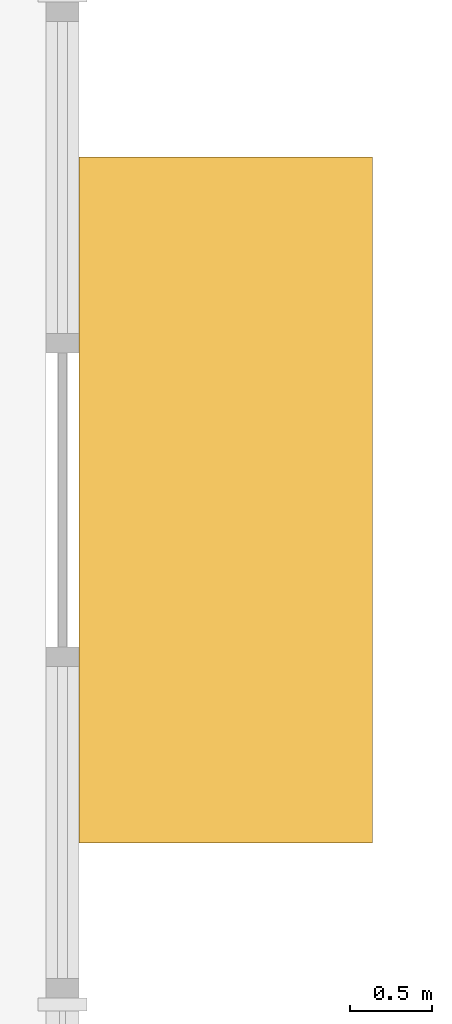
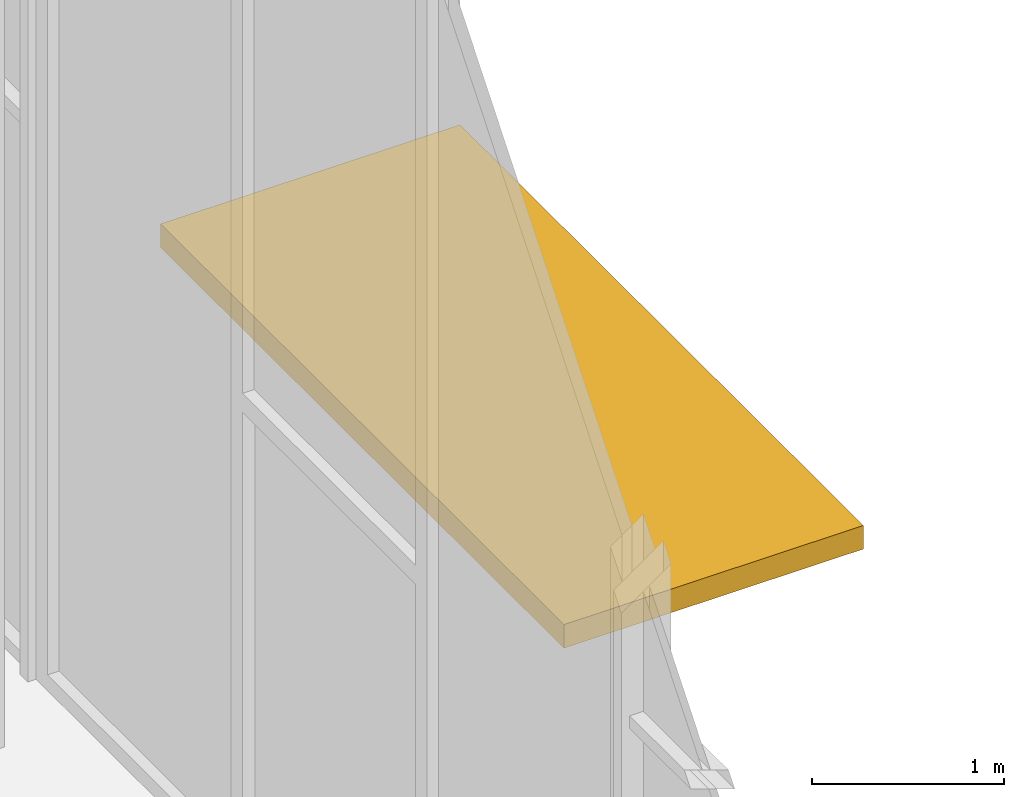
# One storey, part 34 of 36: 1 shading device.
"""IFC4 building model written with IfcOpenShell, lengths in metres."""

from ifc_helpers import new_model, si_unit, direction, frame, origin, origin_2d, place, context, subcontext, project, spatial, rectangle, extrude, material, layer, layer_set, type_object, element, save


model = new_model("IFC4")

# Units and contexts
model_context = context("Model", 3, precision=1e-05, world=origin(), true_north=direction((0.0, 1.0)))
body_context = subcontext(model_context, "Body", "Model", "MODEL_VIEW")
ifc_project = project(units=[si_unit("LENGTHUNIT", "METRE"), si_unit("AREAUNIT", "SQUARE_METRE"), si_unit("VOLUMEUNIT", "CUBIC_METRE"), si_unit("PLANEANGLEUNIT", "RADIAN"), si_unit("MASSUNIT", "GRAM", prefix="KILO")], contexts=[model_context])

# Site, building, storey
site_placement = place(None, origin())
site = spatial("IfcSite", under=ifc_project, at=site_placement, CompositionType="ELEMENT")
building_placement = place(site_placement, origin())
building = spatial("IfcBuilding", under=site, at=building_placement, Name="Tessera Gate Towers", CompositionType="ELEMENT")
storey_placement = place(building_placement, origin())
storey = spatial("IfcBuildingStorey", under=building, at=storey_placement, Name="L00", CompositionType="ELEMENT", Elevation=0.0)

# Shading device
ifc_material = material(Name="Powder-coated steel and laminated glass", Category="steel")
ifc_layer = layer(ifc_material, 0.14990234375)
ifc_layer_set = layer_set([ifc_layer], Name="AW1 entrance canopy")
shading_device_type = type_object("IfcShadingDeviceType", Name="AW1 entrance canopy", PredefinedType="AWNING", material=ifc_layer_set)
shading_device_placement = place(storey_placement, frame((139.300048828125, 33.550048828125, 3.25), z_axis=(0.0, 0.0, 1.0), x_axis=(0.0, 1.0, 0.0)))
element("IfcShadingDevice", 1, at=shading_device_placement, inside=storey, type_object=shading_device_type, Name="Entrance canopy PD AW1-0002", PredefinedType="AWNING", context=body_context, shape_type="SweptSolid", body=[
    extrude(rectangle(XDim=4.199951171875, YDim=1.800048828125, at=origin_2d()), origin(), (0.0, 0.0, 1.0), 0.14990234375),
])

save(model, "model.ifc")
